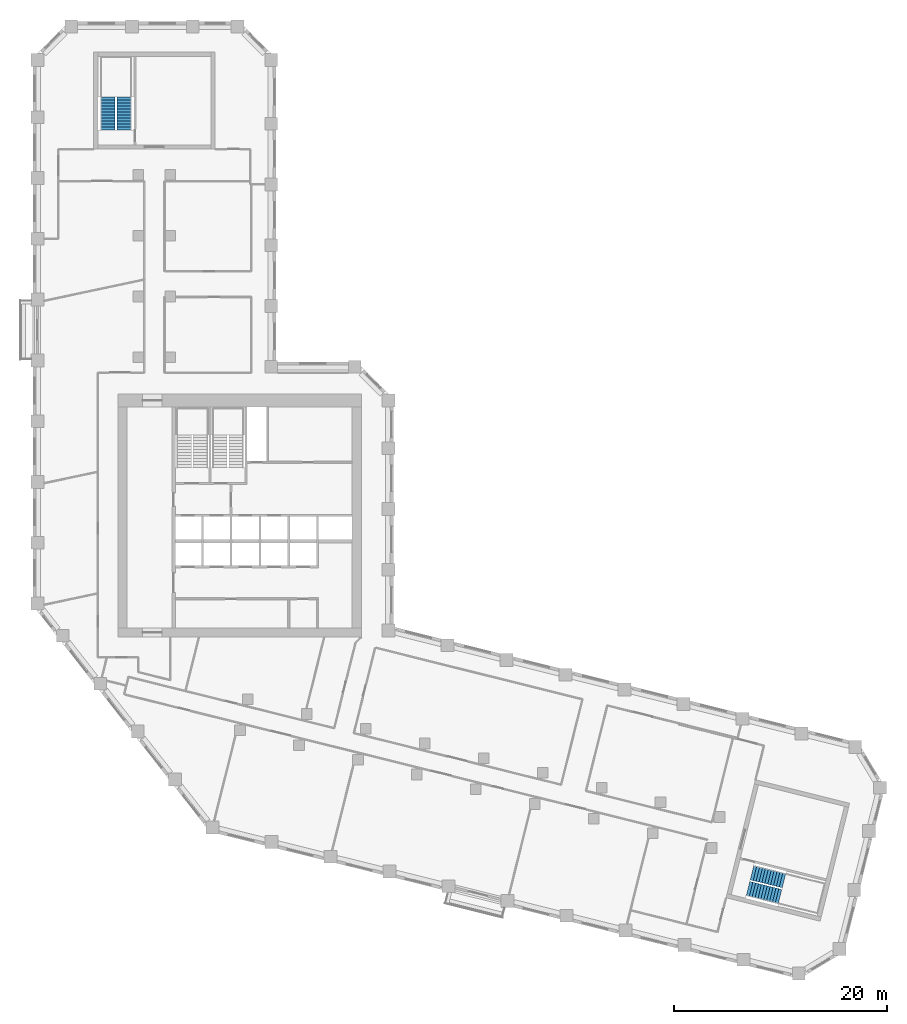
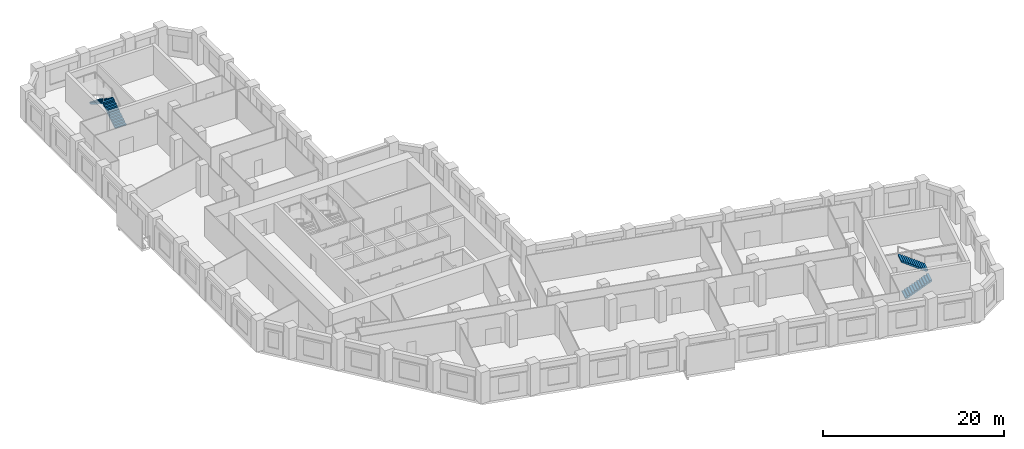
# One storey, part 9 of 10: 4 stair flights, 2 elements without a shape of their own.
"""IFC4 building model written with IfcOpenShell, lengths in metres."""

from ifc_helpers import new_model, si_unit, direction, frame, origin, place, context, subcontext, project, spatial, polyline, outline, extrude, material, type_object, element, aggregate, save


model = new_model("IFC4")

# Units and contexts
model_context = context("Model", 3, precision=1e-05, world=origin(), true_north=direction((0.0, 1.0)))
body_context = subcontext(model_context, "Body", "Model", "MODEL_VIEW")
ifc_project = project(units=[si_unit("LENGTHUNIT", "METRE"), si_unit("AREAUNIT", "SQUARE_METRE"), si_unit("VOLUMEUNIT", "CUBIC_METRE"), si_unit("PLANEANGLEUNIT", "RADIAN"), si_unit("MASSUNIT", "GRAM", prefix="KILO")], contexts=[model_context])

# Site, building, storey
site_placement = place(None, origin())
site = spatial("IfcSite", under=ifc_project, at=site_placement, CompositionType="ELEMENT")
building_placement = place(site_placement, origin())
building = spatial("IfcBuilding", under=site, at=building_placement, Name="Meshkara Civic Tower", CompositionType="ELEMENT")
storey_placement = place(building_placement, frame((0.0, 0.0, 182.39990234375)))
storey = spatial("IfcBuildingStorey", under=building, at=storey_placement, Name="L41", CompositionType="ELEMENT", Elevation=182.39990234375)

# Stair, stair flights
ifc_material_1 = material(Name="Precast concrete C40/50", Category="concrete")
stair_type = type_object("IfcStairType", Name="Exit stair half-turn 24 risers precast", PredefinedType="HALF_TURN_STAIR", material=ifc_material_1)
stair_1_placement = place(storey_placement, origin())
stair_1 = element("IfcStair", 1, at=stair_1_placement, inside=storey, type_object=stair_type, Name="L41 exit stair A from L35", PredefinedType="HALF_TURN_STAIR")
ifc_material_2 = material(Name="Precast concrete C40/50", Category="concrete")
stair_flight_type = type_object("IfcStairFlightType", Name="Exit stair flight 12 risers precast", PredefinedType="STRAIGHT", material=ifc_material_2)
stair_flight_1_placement = place(storey_placement, frame((8.574951171875, 61.669921875, 0.0), z_axis=(0.0, 0.0, 1.0), x_axis=(0.0, 1.0, 0.0)))
stair_flight_1 = element("IfcStairFlight", 2, at=stair_flight_1_placement, type_object=stair_flight_type, Name="ESA3 flight 1", NumberOfRisers=12, NumberOfTreads=11, PredefinedType="STRAIGHT", RiserHeight=0.175, TreadLength=0.28, context=body_context, shape_type="SweptSolid", body=[
    extrude(outline(polyline([(0.0, 0.0), (0.0, 0.175048828125), (0.280029296875, 0.175048828125), (0.280029296875, 0.35009765625), (0.56005859375, 0.35009765625), (0.56005859375, 0.52490234375), (0.840087890625, 0.52490234375), (0.840087890625, 0.699951171875), (1.1201171875, 0.699951171875), (1.1201171875, 0.875), (1.39990234375, 0.875), (1.39990234375, 1.050048828125), (1.679931640625, 1.050048828125), (1.679931640625, 1.22509765625), (1.9599609375, 1.22509765625), (1.9599609375, 1.39990234375), (2.239990234375, 1.39990234375), (2.239990234375, 1.574951171875), (2.52001953125, 1.574951171875), (2.52001953125, 1.75), (2.800048828125, 1.75), (2.800048828125, 1.925048828125), (3.080078125, 1.925048828125), (3.080078125, 2.10009765625), (3.080078125, 1.748291015625), (0.28271484375, 0.0), (0.0, 0.0)])), frame((0.0, 0.699951171875, 0.0), z_axis=(0.0, -1.0, 0.0), x_axis=(1.0, 0.0, 0.0)), (0.0, 0.0, 1.0), 1.39990234375),
])
stair_flight_2_placement = place(storey_placement, frame((7.02490234375, 64.75, 2.10009765625), z_axis=(0.0, 0.0, 1.0), x_axis=(0.0, -1.0, 0.0)))
stair_flight_2 = element("IfcStairFlight", 3, at=stair_flight_2_placement, type_object=stair_flight_type, Name="ESA3 flight 2", NumberOfRisers=12, NumberOfTreads=11, PredefinedType="STRAIGHT", RiserHeight=0.175, TreadLength=0.28, context=body_context, shape_type="SweptSolid", body=[
    extrude(outline(polyline([(0.0, 0.0), (0.0, 0.175048828125), (0.280029296875, 0.175048828125), (0.280029296875, 0.35009765625), (0.56005859375, 0.35009765625), (0.56005859375, 0.52490234375), (0.840087890625, 0.52490234375), (0.840087890625, 0.699951171875), (1.1201171875, 0.699951171875), (1.1201171875, 0.875), (1.39990234375, 0.875), (1.39990234375, 1.050048828125), (1.679931640625, 1.050048828125), (1.679931640625, 1.22509765625), (1.9599609375, 1.22509765625), (1.9599609375, 1.39990234375), (2.239990234375, 1.39990234375), (2.239990234375, 1.574951171875), (2.52001953125, 1.574951171875), (2.52001953125, 1.75), (2.800048828125, 1.75), (2.800048828125, 1.925048828125), (3.080078125, 1.925048828125), (3.080078125, 2.10009765625), (3.080078125, 1.748291015625), (0.28271484375, 0.0), (0.0, 0.0)])), frame((0.0, 0.699951171875, 0.0), z_axis=(0.0, -1.0, 0.0), x_axis=(1.0, 0.0, 0.0)), (0.0, 0.0, 1.0), 1.39990234375),
])
aggregate(stair_1, [stair_flight_1, stair_flight_2])

stair_2_placement = place(storey_placement, origin())
stair_2 = element("IfcStair", 4, at=stair_2_placement, inside=storey, type_object=stair_type, Name="L41 exit stair B from L35", PredefinedType="HALF_TURN_STAIR")
stair_flight_3_placement = place(storey_placement, frame((67.068115234375, -9.4814453125, 0.0), z_axis=(0.0, 0.0, 1.0), x_axis=(0.9703185901, -0.241830175344, 0.0)))
stair_flight_3 = element("IfcStairFlight", 5, at=stair_flight_3_placement, type_object=stair_flight_type, Name="ESB3 flight 1", NumberOfRisers=12, NumberOfTreads=11, PredefinedType="STRAIGHT", RiserHeight=0.175, TreadLength=0.28, context=body_context, shape_type="SweptSolid", body=[
    extrude(outline(polyline([(0.0, 0.0), (0.0, 0.175048828125), (0.280029296875, 0.175048828125), (0.280029296875, 0.35009765625), (0.56005859375, 0.35009765625), (0.56005859375, 0.52490234375), (0.840087890625, 0.52490234375), (0.840087890625, 0.699951171875), (1.1201171875, 0.699951171875), (1.1201171875, 0.875), (1.39990234375, 0.875), (1.39990234375, 1.050048828125), (1.679931640625, 1.050048828125), (1.679931640625, 1.22509765625), (1.9599609375, 1.22509765625), (1.9599609375, 1.39990234375), (2.239990234375, 1.39990234375), (2.239990234375, 1.574951171875), (2.52001953125, 1.574951171875), (2.52001953125, 1.75), (2.800048828125, 1.75), (2.800048828125, 1.925048828125), (3.080078125, 1.925048828125), (3.080078125, 2.10009765625), (3.080078125, 1.748291015625), (0.28271484375, 0.0), (0.0, 0.0)])), frame((0.0, 0.699951171875, 0.0), z_axis=(0.0, -1.0, 0.0), x_axis=(1.0, 0.0, 0.0)), (0.0, 0.0, 1.0), 1.39990234375),
])
stair_flight_4_placement = place(storey_placement, frame((70.431396484375, -8.722412109375, 2.10009765625), z_axis=(0.0, 0.0, 1.0), x_axis=(-0.9703185901, 0.241830175344, 0.0)))
stair_flight_4 = element("IfcStairFlight", 6, at=stair_flight_4_placement, type_object=stair_flight_type, Name="ESB3 flight 2", NumberOfRisers=12, NumberOfTreads=11, PredefinedType="STRAIGHT", RiserHeight=0.175, TreadLength=0.28, context=body_context, shape_type="SweptSolid", body=[
    extrude(outline(polyline([(0.0, 0.0), (0.0, 0.175048828125), (0.280029296875, 0.175048828125), (0.280029296875, 0.35009765625), (0.56005859375, 0.35009765625), (0.56005859375, 0.52490234375), (0.840087890625, 0.52490234375), (0.840087890625, 0.699951171875), (1.1201171875, 0.699951171875), (1.1201171875, 0.875), (1.39990234375, 0.875), (1.39990234375, 1.050048828125), (1.679931640625, 1.050048828125), (1.679931640625, 1.22509765625), (1.9599609375, 1.22509765625), (1.9599609375, 1.39990234375), (2.239990234375, 1.39990234375), (2.239990234375, 1.574951171875), (2.52001953125, 1.574951171875), (2.52001953125, 1.75), (2.800048828125, 1.75), (2.800048828125, 1.925048828125), (3.080078125, 1.925048828125), (3.080078125, 2.10009765625), (3.080078125, 1.748291015625), (0.28271484375, 0.0), (0.0, 0.0)])), frame((0.0, 0.699951171875, 0.0), z_axis=(0.0, -1.0, 0.0), x_axis=(1.0, 0.0, 0.0)), (0.0, 0.0, 1.0), 1.39990234375),
])
aggregate(stair_2, [stair_flight_3, stair_flight_4])

save(model, "model.ifc")
